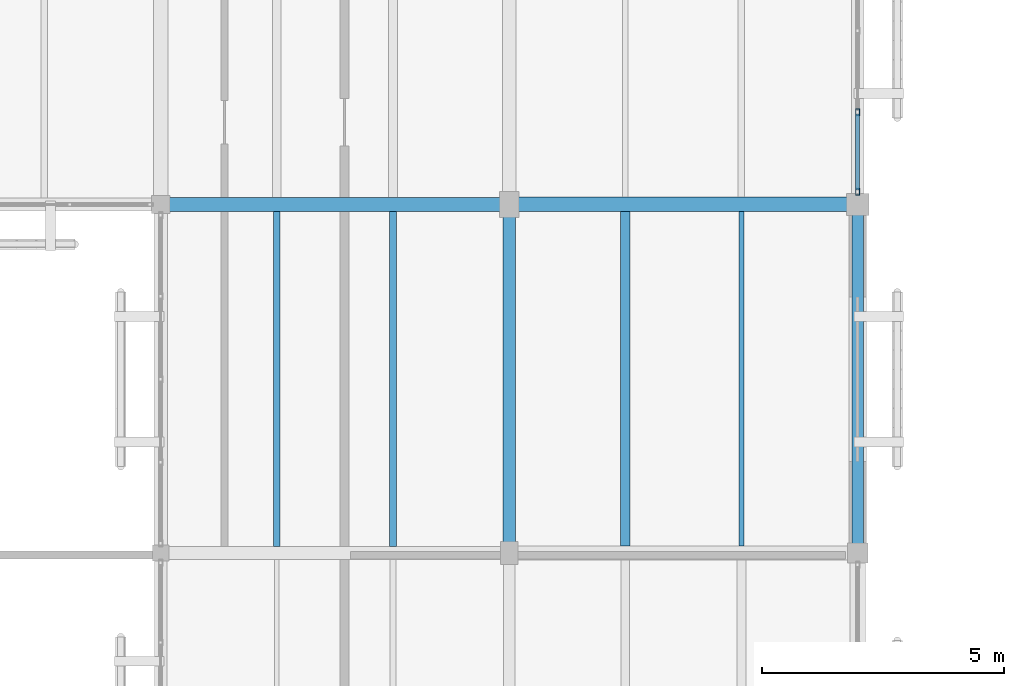
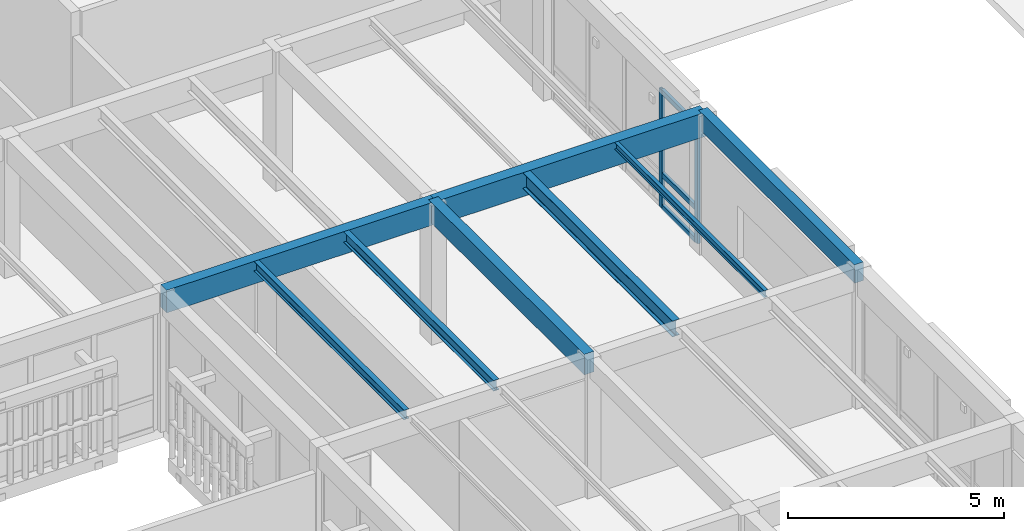
# One storey, part 37 of 112: 8 beams, 5 members, 1 element without a shape of its own.
"""IFC4 building model written with IfcOpenShell, lengths in metres."""

from ifc_helpers import new_model, si_unit, direction, frame, origin, origin_2d, place, context, subcontext, project, spatial, rectangle, hollow_rectangle, i_section, extrude, material, layer, layer_set, material_profile, profile_set, type_object, element, aggregate, save


model = new_model("IFC4")

# Units and contexts
model_context = context("Model", 3, precision=1e-05, world=origin(), true_north=direction((0.0, 1.0)))
body_context = subcontext(model_context, "Body", "Model", "MODEL_VIEW")
ifc_project = project(units=[si_unit("LENGTHUNIT", "METRE"), si_unit("AREAUNIT", "SQUARE_METRE"), si_unit("VOLUMEUNIT", "CUBIC_METRE"), si_unit("PLANEANGLEUNIT", "RADIAN"), si_unit("MASSUNIT", "GRAM", prefix="KILO")], contexts=[model_context])

# Site, building, storey
site_placement = place(None, origin())
site = spatial("IfcSite", under=ifc_project, at=site_placement, CompositionType="ELEMENT")
building_placement = place(site_placement, origin())
building = spatial("IfcBuilding", under=site, at=building_placement, Name="Mazaris Harbour Polytechnic", CompositionType="ELEMENT")
storey_placement = place(building_placement, frame((0.0, 0.0, 13.800048828125)))
storey = spatial("IfcBuildingStorey", under=building, at=storey_placement, Name="L03", CompositionType="ELEMENT", Elevation=13.800048828125)

# Curtain wall, members
ifc_material_1 = material(Name="Anodised Bronze Aluminium and Low-E Glass", Category="aluminium")
ifc_layer = layer(ifc_material_1, 0.159912109375, Name="Anodised Bronze Aluminium and Low-E Glass")
ifc_layer_set = layer_set([ifc_layer], Name="Anodised Bronze Aluminium and Low-E Glass")
curtain_wall_type = type_object("IfcCurtainWallType", Name="Cloister Court Curtain Wall", PredefinedType="NOTDEFINED", material=ifc_layer_set)
curtain_wall_placement = place(storey_placement, origin())
curtain_wall = element("IfcCurtainWall", 1, at=curtain_wall_placement, inside=storey, type_object=curtain_wall_type, Name="V4 L03 Curtain Wall 148", PredefinedType="NOTDEFINED")
ifc_material_2 = material(Name="Anodised Bronze Steel S355", Category="steel")
ifc_material_profile_1 = material_profile(ifc_material_2, hollow_rectangle(XDim=0.080078125, YDim=0.139892578125, WallThickness=0.00634765625, at=origin_2d()), Name="RHS 80x140x6.3")
ifc_profile_set_1 = profile_set([ifc_material_profile_1], Name="Anodised Bronze Steel S355")
member_type_1 = type_object("IfcMemberType", Name="Curtain Mullion RHS80x140", PredefinedType="MULLION", material=ifc_profile_set_1)
member_1_placement = place(storey_placement, frame((43.199951171875, 70.305908203125, 0.0), z_axis=(0.0, 0.0, 1.0), x_axis=(1.0, 0.0, 0.0)))
member_1 = element("IfcMember", 2, at=member_1_placement, type_object=member_type_1, Name="CW-02 mullion 4", PredefinedType="MULLION", context=body_context, shape_type="SweptSolid", body=[
    extrude(hollow_rectangle(XDim=0.080078125, YDim=0.139892578125, WallThickness=0.00634765625, at=origin_2d()), origin(), (0.0, 0.0, 1.0), 3.329833984375),
])
member_2_placement = place(storey_placement, frame((43.199951171875, 68.662109375, 0.0), z_axis=(0.0, 0.0, 1.0), x_axis=(1.0, 0.0, 0.0)))
member_2 = element("IfcMember", 3, at=member_2_placement, type_object=member_type_1, Name="CW-02 mullion 5", PredefinedType="MULLION", context=body_context, shape_type="SweptSolid", body=[
    extrude(hollow_rectangle(XDim=0.080078125, YDim=0.139892578125, WallThickness=0.00634765625, at=origin_2d()), origin(), (0.0, 0.0, 1.0), 3.329833984375),
])
ifc_material_3 = material(Name="Anodised Bronze Steel S355", Category="steel")
ifc_material_profile_2 = material_profile(ifc_material_3, hollow_rectangle(XDim=0.080078125, YDim=0.139892578125, WallThickness=0.00634765625, at=origin_2d()), Name="RHS 80x140x6.3")
ifc_profile_set_2 = profile_set([ifc_material_profile_2], Name="Anodised Bronze Steel S355")
member_type_2 = type_object("IfcMemberType", Name="Curtain Transom RHS80x140", PredefinedType="USERDEFINED", material=ifc_profile_set_2)
member_3_placement = place(storey_placement, frame((43.199951171875, 70.26611328125, 0.0400390625), z_axis=(0.0, -1.0, 0.0), x_axis=(1.0, 0.0, 0.0)))
member_3 = element("IfcMember", 4, at=member_3_placement, type_object=member_type_2, Name="CW-02 transom 4.1", ObjectType="TRANSOM", PredefinedType="USERDEFINED", context=body_context, shape_type="SweptSolid", body=[
    extrude(hollow_rectangle(XDim=0.080078125, YDim=0.139892578125, WallThickness=0.00634765625, at=origin_2d()), origin(), (0.0, 0.0, 1.0), 1.564208984375),
])
member_4_placement = place(storey_placement, frame((43.199951171875, 70.26611328125, 0.949951171875), z_axis=(0.0, -1.0, 0.0), x_axis=(1.0, 0.0, 0.0)))
member_4 = element("IfcMember", 5, at=member_4_placement, type_object=member_type_2, Name="CW-02 transom 4.2", ObjectType="TRANSOM", PredefinedType="USERDEFINED", context=body_context, shape_type="SweptSolid", body=[
    extrude(hollow_rectangle(XDim=0.080078125, YDim=0.139892578125, WallThickness=0.00634765625, at=origin_2d()), origin(), (0.0, 0.0, 1.0), 1.564208984375),
])
member_5_placement = place(storey_placement, frame((43.199951171875, 70.26611328125, 3.2900390625), z_axis=(0.0, -1.0, 0.0), x_axis=(1.0, 0.0, 0.0)))
member_5 = element("IfcMember", 6, at=member_5_placement, type_object=member_type_2, Name="CW-02 transom 4.3", ObjectType="TRANSOM", PredefinedType="USERDEFINED", context=body_context, shape_type="SweptSolid", body=[
    extrude(hollow_rectangle(XDim=0.080078125, YDim=0.139892578125, WallThickness=0.00634765625, at=origin_2d()), origin(), (0.0, 0.0, 1.0), 1.564208984375),
])
aggregate(curtain_wall, [member_1, member_2, member_3, member_4, member_5])

# Beams
ifc_material_4 = material(Name="Glulam GL32h", Category="wood")
ifc_material_profile_3 = material_profile(ifc_material_4, rectangle(XDim=0.239990234375, YDim=0.52001953125, at=origin_2d()), Name="RECT240x520")
ifc_profile_set_3 = profile_set([ifc_material_profile_3], Name="Glulam GL32h")
beam_type_1 = type_object("IfcBeamType", Name="Glulam Girder 240x520 Exterior", PredefinedType="BEAM", material=ifc_profile_set_3)
beam_1_placement = place(storey_placement, frame((43.199951171875, 61.199951171875, 3.659912109375), z_axis=(0.0, 1.0, 0.0), x_axis=(-1.0, 0.0, 0.0)))
element("IfcBeam", 7, at=beam_1_placement, inside=storey, type_object=beam_type_1, Name="V4 L03 Tie Girder 2275", PredefinedType="BEAM", context=body_context, shape_type="SweptSolid", body=[
    extrude(rectangle(XDim=0.239990234375, YDim=0.52001953125, at=origin_2d()), origin(), (0.0, 0.0, 1.0), 7.199951171875),
])
ifc_material_5 = material(Name="Glulam GL32h", Category="wood")
ifc_material_profile_4 = material_profile(ifc_material_5, rectangle(XDim=0.260009765625, YDim=0.580078125, at=origin_2d()), Name="RECT260x580")
ifc_profile_set_4 = profile_set([ifc_material_profile_4], Name="Glulam GL32h")
beam_type_2 = type_object("IfcBeamType", Name="Glulam Girder 260x580", PredefinedType="BEAM", material=ifc_profile_set_4)
beam_2_placement = place(storey_placement, frame((36.0, 61.199951171875, 3.6298828125), z_axis=(0.0, 1.0, 0.0), x_axis=(-1.0, 0.0, 0.0)))
element("IfcBeam", 8, at=beam_2_placement, inside=storey, type_object=beam_type_2, Name="V4 L03 Tie Girder 2266", PredefinedType="BEAM", context=body_context, shape_type="SweptSolid", body=[
    extrude(rectangle(XDim=0.260009765625, YDim=0.580078125, at=origin_2d()), origin(), (0.0, 0.0, 1.0), 7.199951171875),
])
ifc_material_6 = material(Name="Glulam GL32h", Category="wood")
ifc_material_profile_5 = material_profile(ifc_material_6, rectangle(XDim=0.280029296875, YDim=0.639892578125, at=origin_2d()), Name="RECT280x640")
ifc_profile_set_5 = profile_set([ifc_material_profile_5], Name="Glulam GL32h")
beam_type_3 = type_object("IfcBeamType", Name="Glulam Girder 280x640", PredefinedType="BEAM", material=ifc_profile_set_5)
beam_3_placement = place(storey_placement, frame((28.800048828125, 68.39990234375, 3.599853515625), z_axis=(1.0, 0.0, 0.0), x_axis=(0.0, 1.0, 0.0)))
element("IfcBeam", 9, at=beam_3_placement, inside=storey, type_object=beam_type_3, Name="V4 L03 Girder 2212", PredefinedType="BEAM", context=body_context, shape_type="SweptSolid", body=[
    extrude(rectangle(XDim=0.280029296875, YDim=0.639892578125, at=origin_2d()), origin(), (0.0, 0.0, 1.0), 7.199951171875),
])
ifc_material_7 = material(Name="Glulam GL32h", Category="wood")
ifc_material_profile_6 = material_profile(ifc_material_7, rectangle(XDim=0.300048828125, YDim=0.679931640625, at=origin_2d()), Name="RECT300x680")
ifc_profile_set_6 = profile_set([ifc_material_profile_6], Name="Glulam GL32h")
beam_type_4 = type_object("IfcBeamType", Name="Glulam Girder 300x680", PredefinedType="BEAM", material=ifc_profile_set_6)
beam_4_placement = place(storey_placement, frame((36.0, 68.39990234375, 3.579833984375), z_axis=(1.0, 0.0, 0.0), x_axis=(0.0, 1.0, 0.0)))
element("IfcBeam", 10, at=beam_4_placement, inside=storey, type_object=beam_type_4, Name="V4 L03 Girder 2213", PredefinedType="BEAM", context=body_context, shape_type="SweptSolid", body=[
    extrude(rectangle(XDim=0.300048828125, YDim=0.679931640625, at=origin_2d()), origin(), (0.0, 0.0, 1.0), 7.199951171875),
])
ifc_material_8 = material(Name="Steel S355", Category="steel")
ifc_material_profile_7 = material_profile(ifc_material_8, i_section(OverallWidth=0.10009765625, OverallDepth=0.199951171875, WebThickness=0.005615234375, FlangeThickness=0.008544921875, FilletRadius=0.011962890625, at=origin_2d()), Name="IPE 200")
ifc_profile_set_7 = profile_set([ifc_material_profile_7], Name="Steel S355")
beam_type_5 = type_object("IfcBeamType", Name="Steel Joist IPE200", PredefinedType="JOIST", material=ifc_profile_set_7)
beam_5_placement = place(storey_placement, frame((40.800048828125, 61.340087890625, 3.820068359375), z_axis=(0.0, 1.0, 0.0), x_axis=(-1.0, 0.0, 0.0)))
element("IfcBeam", 11, at=beam_5_placement, inside=storey, type_object=beam_type_5, Name="V4 L03 Floor Joist 2359", PredefinedType="JOIST", context=body_context, shape_type="SweptSolid", body=[
    extrude(i_section(OverallWidth=0.10009765625, OverallDepth=0.199951171875, WebThickness=0.005615234375, FlangeThickness=0.008544921875, FilletRadius=0.011962890625, at=origin_2d()), origin(), (0.0, 0.0, 1.0), 6.909912109375),
])
ifc_material_9 = material(Name="Steel S355", Category="steel")
ifc_material_profile_8 = material_profile(ifc_material_9, i_section(OverallWidth=0.135009765625, OverallDepth=0.27001953125, WebThickness=0.006591796875, FlangeThickness=0.01025390625, FilletRadius=0.014892578125, at=origin_2d()), Name="IPE 270")
ifc_profile_set_8 = profile_set([ifc_material_profile_8], Name="Steel S355")
beam_type_6 = type_object("IfcBeamType", Name="Steel Joist IPE270", PredefinedType="JOIST", material=ifc_profile_set_8)
beam_6_placement = place(storey_placement, frame((31.199951171875, 61.330078125, 3.784912109375), z_axis=(0.0, 1.0, 0.0), x_axis=(-1.0, 0.0, 0.0)))
element("IfcBeam", 12, at=beam_6_placement, inside=storey, type_object=beam_type_6, Name="V4 L03 Floor Joist 2340", PredefinedType="JOIST", context=body_context, shape_type="SweptSolid", body=[
    extrude(i_section(OverallWidth=0.135009765625, OverallDepth=0.27001953125, WebThickness=0.006591796875, FlangeThickness=0.01025390625, FilletRadius=0.014892578125, at=origin_2d()), origin(), (0.0, 0.0, 1.0), 6.929931640625),
])
ifc_material_10 = material(Name="Steel S355", Category="steel")
ifc_material_profile_9 = material_profile(ifc_material_10, i_section(OverallWidth=0.14990234375, OverallDepth=0.300048828125, WebThickness=0.007080078125, FlangeThickness=0.0107421875, FilletRadius=0.014892578125, at=origin_2d()), Name="IPE 300")
ifc_profile_set_9 = profile_set([ifc_material_profile_9], Name="Steel S355")
beam_type_7 = type_object("IfcBeamType", Name="Steel Joist IPE300", PredefinedType="JOIST", material=ifc_profile_set_9)
beam_7_placement = place(storey_placement, frame((33.60009765625, 61.330078125, 3.77001953125), z_axis=(0.0, 1.0, 0.0), x_axis=(-1.0, 0.0, 0.0)))
element("IfcBeam", 13, at=beam_7_placement, inside=storey, type_object=beam_type_7, Name="V4 L03 Floor Joist 2341", PredefinedType="JOIST", context=body_context, shape_type="SweptSolid", body=[
    extrude(i_section(OverallWidth=0.14990234375, OverallDepth=0.300048828125, WebThickness=0.007080078125, FlangeThickness=0.0107421875, FilletRadius=0.014892578125, at=origin_2d()), origin(), (0.0, 0.0, 1.0), 6.929931640625),
])
ifc_material_11 = material(Name="Steel S355", Category="steel")
ifc_material_profile_10 = material_profile(ifc_material_11, i_section(OverallWidth=0.18994140625, OverallDepth=0.449951171875, WebThickness=0.009521484375, FlangeThickness=0.0146484375, FilletRadius=0.02099609375, at=origin_2d()), Name="IPE 450")
ifc_profile_set_10 = profile_set([ifc_material_profile_10], Name="Steel S355")
beam_type_8 = type_object("IfcBeamType", Name="Steel Joist IPE450", PredefinedType="JOIST", material=ifc_profile_set_10)
beam_8_placement = place(storey_placement, frame((38.39990234375, 61.340087890625, 3.695068359375), z_axis=(0.0, 1.0, 0.0), x_axis=(-1.0, 0.0, 0.0)))
element("IfcBeam", 14, at=beam_8_placement, inside=storey, type_object=beam_type_8, Name="V4 L03 Floor Joist 2358", PredefinedType="JOIST", context=body_context, shape_type="SweptSolid", body=[
    extrude(i_section(OverallWidth=0.18994140625, OverallDepth=0.449951171875, WebThickness=0.009521484375, FlangeThickness=0.0146484375, FilletRadius=0.02099609375, at=origin_2d()), origin(), (0.0, 0.0, 1.0), 6.909912109375),
])

save(model, "model.ifc")
